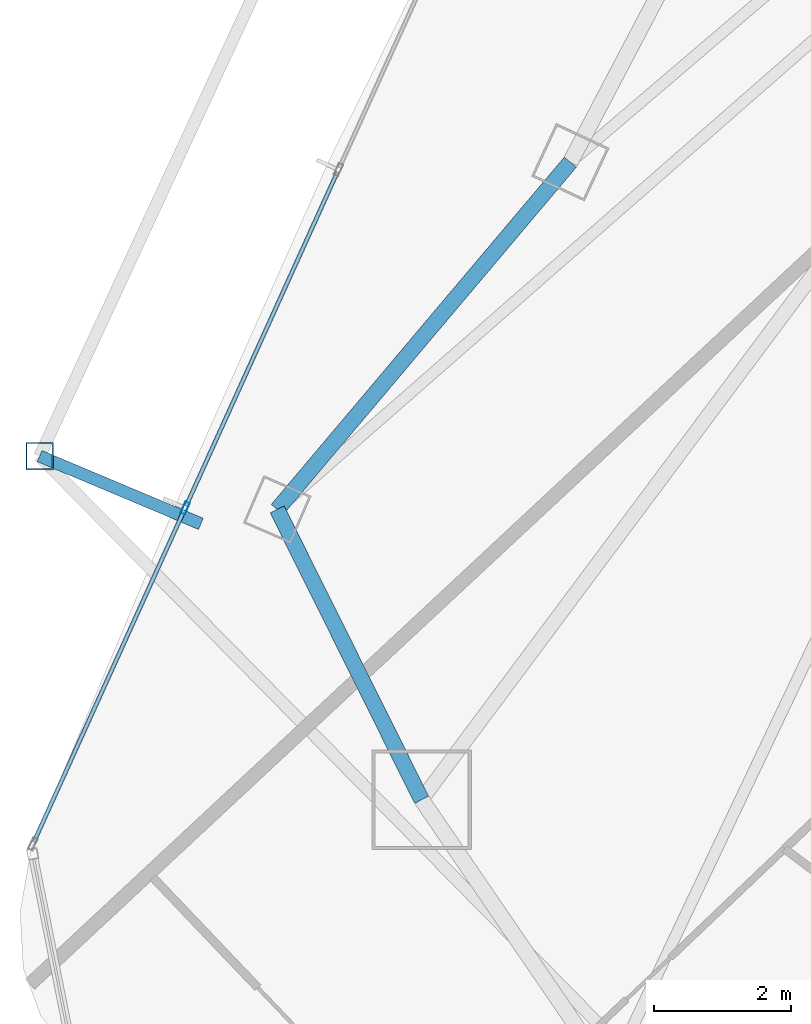
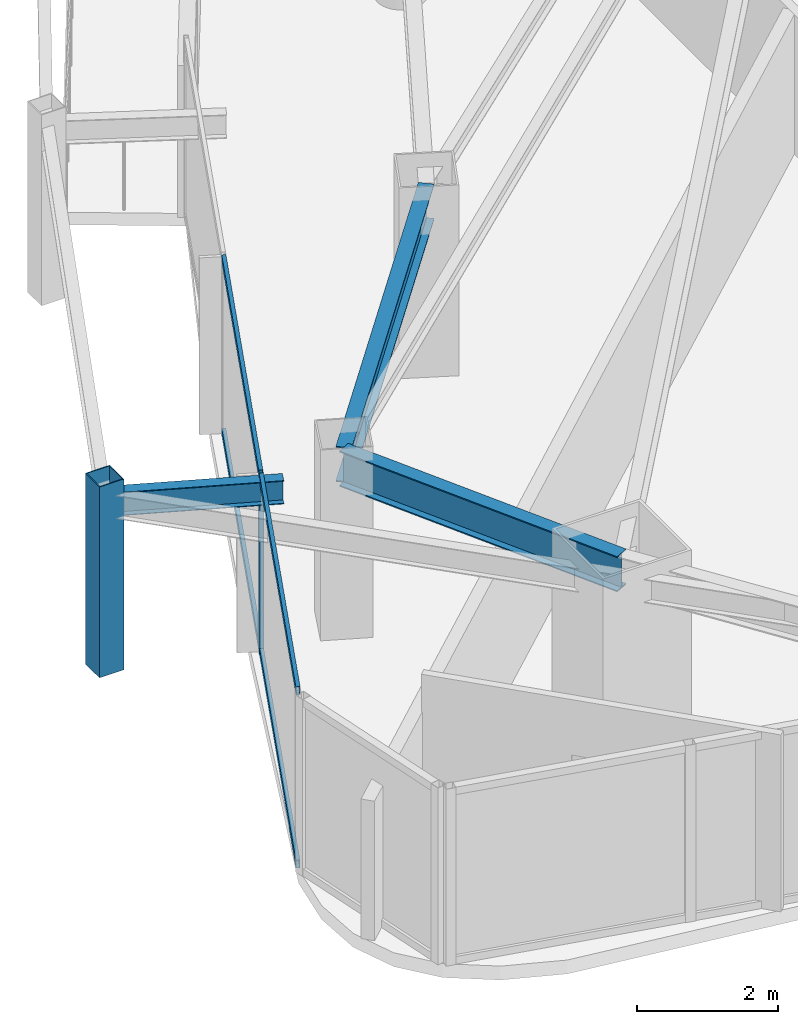
# One storey, part 5 of 29: 6 members, 3 beams, 1 element without a shape of its own.
"""IFC4 building model written with IfcOpenShell, lengths in metres."""

from ifc_helpers import new_model, si_unit, direction, frame, origin, origin_2d, place, context, subcontext, project, spatial, hollow_rectangle, i_section, extrude, material, layer, layer_set, material_profile, profile_set, type_object, element, aggregate, save


model = new_model("IFC4")

# Units and contexts
model_context = context("Model", 3, precision=1e-05, world=origin(), true_north=direction((0.0, 1.0)))
body_context = subcontext(model_context, "Body", "Model", "MODEL_VIEW")
ifc_project = project(units=[si_unit("LENGTHUNIT", "METRE"), si_unit("AREAUNIT", "SQUARE_METRE"), si_unit("VOLUMEUNIT", "CUBIC_METRE"), si_unit("PLANEANGLEUNIT", "RADIAN"), si_unit("MASSUNIT", "GRAM", prefix="KILO")], contexts=[model_context])

# Site, building, storey
site_placement = place(None, origin())
site = spatial("IfcSite", under=ifc_project, at=site_placement, CompositionType="ELEMENT")
building_placement = place(site_placement, origin())
building = spatial("IfcBuilding", under=site, at=building_placement, Name="Orvanel Arch Residences", CompositionType="ELEMENT")
storey_placement = place(building_placement, frame((0.0, 0.0, 173.75)))
storey = spatial("IfcBuildingStorey", under=building, at=storey_placement, Name="L49", CompositionType="ELEMENT", Elevation=173.75)

# Curtain wall, member
ifc_material_1 = material(Name="Bronze-anodised aluminium AA6063-T6", Category="aluminium")
ifc_layer = layer(ifc_material_1, 0.179931640625)
ifc_layer_set = layer_set([ifc_layer], Name="Bronze-anodised aluminium AA6063-T6")
curtain_wall_type = type_object("IfcCurtainWallType", Name="CW3-MID-SYS", PredefinedType="NOTDEFINED", material=ifc_layer_set)
curtain_wall_placement = place(storey_placement, origin())
curtain_wall = element("IfcCurtainWall", 1, at=curtain_wall_placement, inside=storey, type_object=curtain_wall_type, Name="L49 CW3-MID-SYS Unitised Curtain Wall", PredefinedType="NOTDEFINED")
ifc_material_profile_1 = material_profile(ifc_material_1, hollow_rectangle(XDim=0.070068359375, YDim=0.179931640625, WallThickness=0.00439453125, at=origin_2d()), Name="ALU180x70x4.5")
ifc_profile_set_1 = profile_set([ifc_material_profile_1], Name="Bronze-anodised aluminium AA6063-T6")
member_type_1 = type_object("IfcMemberType", Name="MUL-180x70", PredefinedType="MULLION", material=ifc_profile_set_1)
member_1_placement = place(storey_placement, frame((10.75341796875, 14.60107421875, 0.0), z_axis=(0.0, 0.0, 1.0), x_axis=(0.910855054441, -0.412726386119, 0.0)))
member_1 = element("IfcMember", 2, at=member_1_placement, type_object=member_type_1, Name="CW-S3 mullion 3", PredefinedType="MULLION", context=body_context, shape_type="SweptSolid", body=[
    extrude(hollow_rectangle(XDim=0.070068359375, YDim=0.179931640625, WallThickness=0.00439453125, at=origin_2d()), origin(), (0.0, 0.0, 1.0), 3.06005859375),
])

# Beams
ifc_material_2 = material(Name="Structural steel AS/NZS 3679.1 Grade 300 (300 MPa)", Category="steel")
ifc_material_profile_2 = material_profile(ifc_material_2, i_section(OverallWidth=0.177978515625, OverallDepth=0.406005859375, WebThickness=0.0078125, FlangeThickness=0.0126953125, at=origin_2d()), Name="410UB59.7")
ifc_profile_set_2 = profile_set([ifc_material_profile_2], Name="Structural steel AS/NZS 3679.1 Grade 300 (300 MPa)")
beam_type_1 = type_object("IfcBeamType", Name="OB-410UB-EXT", PredefinedType="SPANDREL", material=ifc_profile_set_2)
beam_1_placement = place(storey_placement, frame((10.98193359375, 14.37109375, 2.85693359375), z_axis=(-0.921862379893, 0.387517422239, 0.0), x_axis=(-0.387517422239, -0.921862379893, 0.0)))
element("IfcBeam", 3, at=beam_1_placement, inside=storey, type_object=beam_type_1, Name="L49 Outer Frame Radial Tie Beam 04", PredefinedType="SPANDREL", context=body_context, shape_type="SweptSolid", body=[
    extrude(i_section(OverallWidth=0.177978515625, OverallDepth=0.406005859375, WebThickness=0.0078125, FlangeThickness=0.0126953125, at=origin_2d()), origin(), (0.0, 0.0, 1.0), 2.549072265625),
])
ifc_material_profile_3 = material_profile(ifc_material_2, i_section(OverallWidth=0.22900390625, OverallDepth=0.612060546875, WebThickness=0.011962890625, FlangeThickness=0.01953125, at=origin_2d()), Name="610UB125")
ifc_profile_set_3 = profile_set([ifc_material_profile_3], Name="Structural steel AS/NZS 3679.1 Grade 300 (300 MPa)")
beam_type_2 = type_object("IfcBeamType", Name="SP-610UB", PredefinedType="SPANDREL", material=ifc_profile_set_3)
beam_2_placement = place(storey_placement, frame((16.366943359375, 19.64208984375, 2.75390625), z_axis=(-0.644950329775, -0.764224490659, 0.0), x_axis=(0.764224490659, -0.644950329775, 0.0)))
element("IfcBeam", 4, at=beam_2_placement, inside=storey, type_object=beam_type_2, Name="L49 Perimeter Spandrel Beam 01", PredefinedType="SPANDREL", context=body_context, shape_type="SweptSolid", body=[
    extrude(i_section(OverallWidth=0.22900390625, OverallDepth=0.612060546875, WebThickness=0.011962890625, FlangeThickness=0.01953125, at=origin_2d()), origin(), (0.0, 0.0, 1.0), 6.623779296875),
])
beam_3_placement = place(storey_placement, frame((12.094970703125, 14.580078125, 2.75390625), z_axis=(0.44543469453, -0.895314432425, 0.0), x_axis=(0.895314432425, 0.44543469453, 0.0)))
element("IfcBeam", 5, at=beam_3_placement, inside=storey, type_object=beam_type_2, Name="L49 Perimeter Spandrel Beam 02", PredefinedType="SPANDREL", context=body_context, shape_type="SweptSolid", body=[
    extrude(i_section(OverallWidth=0.22900390625, OverallDepth=0.612060546875, WebThickness=0.011962890625, FlangeThickness=0.01953125, at=origin_2d()), origin(), (0.0, 0.0, 1.0), 4.723388671875),
])

# Member
ifc_material_3 = material(Name="Structural steel AS/NZS 1163 C450L0 (Grade 450)", Category="steel")
ifc_material_profile_4 = material_profile(ifc_material_3, hollow_rectangle(XDim=0.39990234375, YDim=0.39990234375, WallThickness=0.01611328125, at=origin_2d()), Name="SHS400x400x16")
ifc_profile_set_4 = profile_set([ifc_material_profile_4], Name="Structural steel AS/NZS 1163 C450L0 (Grade 450)")
member_type_2 = type_object("IfcMemberType", Name="ST-400SHS-EXT", PredefinedType="STRUT", material=ifc_profile_set_4)
member_2_placement = place(storey_placement, frame((8.632080078125, 15.35888671875, 0.0), z_axis=(0.0, 0.0, 1.0), x_axis=(1.0, 0.0, 0.0)))
element("IfcMember", 6, at=member_2_placement, inside=storey, type_object=member_type_2, Name="L49 Outer Perimeter Frame Post 04", PredefinedType="STRUT", context=body_context, shape_type="SweptSolid", body=[
    extrude(hollow_rectangle(XDim=0.39990234375, YDim=0.39990234375, WallThickness=0.01611328125, at=origin_2d()), origin(), (0.0, 0.0, 1.0), 3.300048828125),
])

ifc_material_profile_5 = material_profile(ifc_material_1, hollow_rectangle(XDim=0.06005859375, YDim=0.135009765625, WallThickness=0.00390625, at=origin_2d()), Name="ALU135x60x4")
ifc_profile_set_5 = profile_set([ifc_material_profile_5], Name="Bronze-anodised aluminium AA6063-T6")
member_type_3 = type_object("IfcMemberType", Name="TRN-135x60", PredefinedType="USERDEFINED", material=ifc_profile_set_5)
member_3_placement = place(storey_placement, frame((12.97314453125, 19.5, 0.030029296875), z_axis=(-0.412711423874, -0.910861833981, 0.0), x_axis=(0.910861833981, -0.412711423874, 0.0)))
member_3 = element("IfcMember", 7, at=member_3_placement, type_object=member_type_3, Name="CW-S3 transom 2.1", ObjectType="TRANSOM", PredefinedType="USERDEFINED", context=body_context, shape_type="SweptSolid", body=[
    extrude(hollow_rectangle(XDim=0.06005859375, YDim=0.135009765625, WallThickness=0.00390625, at=origin_2d()), origin(), (0.0, 0.0, 1.0), 5.343505859375),
])

member_4_placement = place(storey_placement, frame((12.97314453125, 19.5, 3.030029296875), z_axis=(-0.412711423874, -0.910861833981, 0.0), x_axis=(0.910861833981, -0.412711423874, 0.0)))
member_4 = element("IfcMember", 8, at=member_4_placement, type_object=member_type_3, Name="CW-S3 transom 2.2", ObjectType="TRANSOM", PredefinedType="USERDEFINED", context=body_context, shape_type="SweptSolid", body=[
    extrude(hollow_rectangle(XDim=0.06005859375, YDim=0.135009765625, WallThickness=0.00390625, at=origin_2d()), origin(), (0.0, 0.0, 1.0), 5.343505859375),
])

member_5_placement = place(storey_placement, frame((10.73876953125, 14.569091796875, 0.030029296875), z_axis=(-0.412707722352, -0.910863511132, 0.0), x_axis=(0.910863511132, -0.412707722352, 0.0)))
member_5 = element("IfcMember", 9, at=member_5_placement, type_object=member_type_3, Name="CW-S3 transom 3.1", ObjectType="TRANSOM", PredefinedType="USERDEFINED", context=body_context, shape_type="SweptSolid", body=[
    extrude(hollow_rectangle(XDim=0.06005859375, YDim=0.135009765625, WallThickness=0.00390625, at=origin_2d()), origin(), (0.0, 0.0, 1.0), 5.30859375),
])

member_6_placement = place(storey_placement, frame((10.73876953125, 14.569091796875, 3.030029296875), z_axis=(-0.412707722352, -0.910863511132, 0.0), x_axis=(0.910863511132, -0.412707722352, 0.0)))
member_6 = element("IfcMember", 10, at=member_6_placement, type_object=member_type_3, Name="CW-S3 transom 3.2", ObjectType="TRANSOM", PredefinedType="USERDEFINED", context=body_context, shape_type="SweptSolid", body=[
    extrude(hollow_rectangle(XDim=0.06005859375, YDim=0.135009765625, WallThickness=0.00390625, at=origin_2d()), origin(), (0.0, 0.0, 1.0), 5.30859375),
])

aggregate(curtain_wall, [member_1, member_3, member_4, member_5, member_6])

save(model, "model.ifc")
